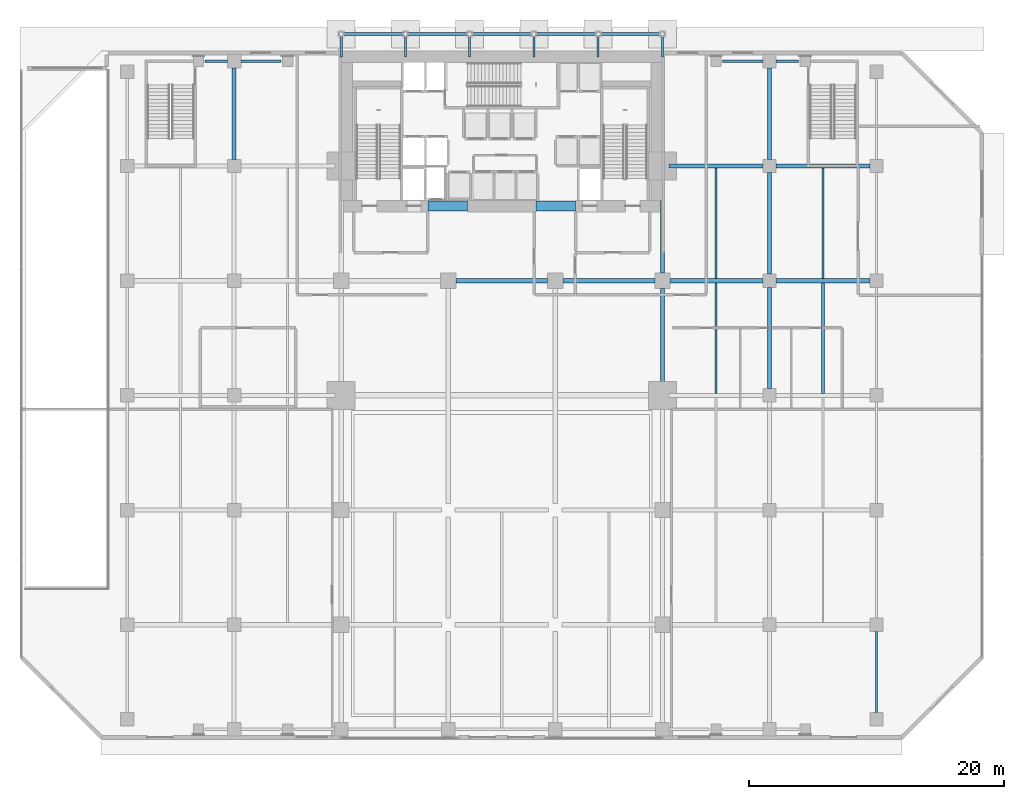
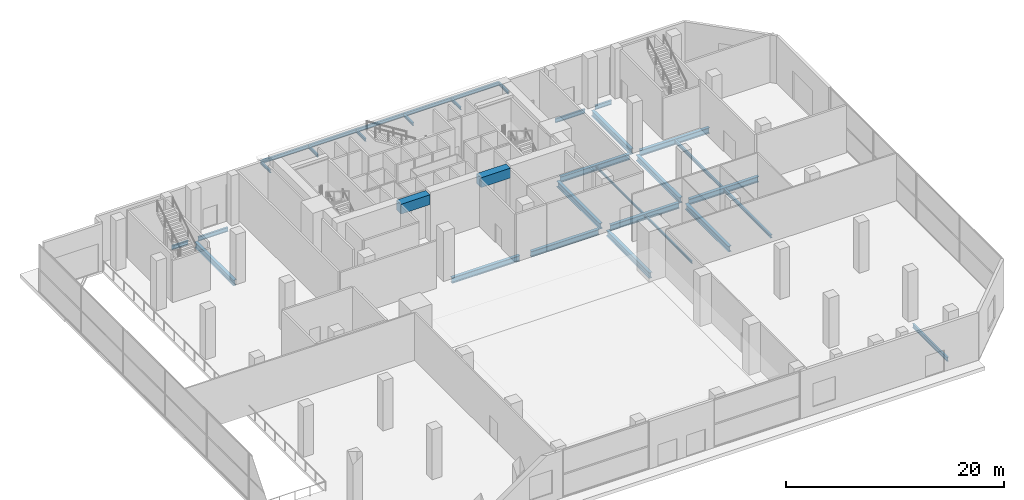
# One storey, part 22 of 35: 34 beams.
"""IFC4 building model written with IfcOpenShell, lengths in metres."""

from ifc_helpers import new_model, si_unit, direction, frame, origin, origin_2d, place, context, subcontext, project, spatial, rectangle, i_section, extrude, material, material_profile, profile_set, type_object, element, save


model = new_model("IFC4")

# Units and contexts
model_context = context("Model", 3, precision=1e-05, world=origin(), true_north=direction((0.0, 1.0)))
body_context = subcontext(model_context, "Body", "Model", "MODEL_VIEW")
ifc_project = project(units=[si_unit("LENGTHUNIT", "METRE"), si_unit("AREAUNIT", "SQUARE_METRE"), si_unit("VOLUMEUNIT", "CUBIC_METRE"), si_unit("PLANEANGLEUNIT", "RADIAN"), si_unit("MASSUNIT", "GRAM", prefix="KILO")], contexts=[model_context])

# Site, building, storey
site_placement = place(None, origin())
site = spatial("IfcSite", under=ifc_project, at=site_placement, CompositionType="ELEMENT")
building_placement = place(site_placement, origin())
building = spatial("IfcBuilding", under=site, at=building_placement, Name="Maruvema Waterfront Hotel and Observation Tower", CompositionType="ELEMENT")
storey_placement = place(building_placement, origin())
storey = spatial("IfcBuildingStorey", under=building, at=storey_placement, Name="L00", CompositionType="ELEMENT", Elevation=0.0)

# Beams
ifc_material_1 = material(Name="Concrete C60/75", Category="concrete")
ifc_material_profile_1 = material_profile(ifc_material_1, rectangle(XDim=0.800048828125, YDim=1.10009765625, at=origin_2d()), Name="CB800x1100")
ifc_profile_set_1 = profile_set([ifc_material_profile_1], Name="Concrete C60/75")
beam_type_1 = type_object("IfcBeamType", Name="Core Coupling Lintel Beam CB800x1100", PredefinedType="LINTEL", material=ifc_profile_set_1)
for number, where, z_axis, x_axis, name in (
    (1, (32.0, 41.85009765625, 4.77001953125), (1.0, 0.0, 0.0), (0.0, 1.0, 0.0), "L00 Core Coupling Lintel Beam West"),
    (2, (40.5, 41.85009765625, 4.77001953125), (1.0, 0.0, 0.0), (0.0, 1.0, 0.0), "L00 Core Coupling Lintel Beam East"),
):
    element("IfcBeam", number, at=place(storey_placement, frame(where, z_axis=z_axis, x_axis=x_axis)), inside=storey, type_object=beam_type_1, Name=name, PredefinedType="LINTEL", context=body_context, shape_type="SweptSolid", body=[
        extrude(rectangle(XDim=0.800048828125, YDim=1.10009765625, at=origin_2d()), origin(), (0.0, 0.0, 1.0), 3.10009765625),
    ])
ifc_material_2 = material(Name="Steel ASTM A572 Grade 50", Category="steel")
ifc_material_profile_2 = material_profile(ifc_material_2, i_section(OverallWidth=0.18994140625, OverallDepth=0.45703125, WebThickness=0.009033203125, FlangeThickness=0.014404296875, FilletRadius=0.014892578125, at=origin_2d()), Name="W460x74.0")
ifc_profile_set_2 = profile_set([ifc_material_profile_2], Name="Steel ASTM A572 Grade 50")
beam_type_2 = type_object("IfcBeamType", Name="Perimeter Spandrel Beam W460x74.0", PredefinedType="SPANDREL", material=ifc_profile_set_2)
beam_1_placement = place(storey_placement, frame((14.52490234375, 53.199951171875, -0.508544921875), z_axis=(1.0, 0.0, 0.0), x_axis=(0.0, 1.0, 0.0)))
element("IfcBeam", 3, at=beam_1_placement, inside=storey, type_object=beam_type_2, Name="L00 Floor Girder EW-40", PredefinedType="SPANDREL", context=body_context, shape_type="SweptSolid", body=[
    extrude(i_section(OverallWidth=0.18994140625, OverallDepth=0.45703125, WebThickness=0.009033203125, FlangeThickness=0.014404296875, FilletRadius=0.014892578125, at=origin_2d()), origin(), (0.0, 0.0, 1.0), 1.75),
])
beam_2_placement = place(storey_placement, frame((17.324951171875, 53.199951171875, -0.508544921875), z_axis=(1.0, 0.0, 0.0), x_axis=(0.0, 1.0, 0.0)))
element("IfcBeam", 4, at=beam_2_placement, inside=storey, type_object=beam_type_2, Name="L00 Floor Girder EW-41", PredefinedType="SPANDREL", context=body_context, shape_type="SweptSolid", body=[
    extrude(i_section(OverallWidth=0.18994140625, OverallDepth=0.45703125, WebThickness=0.009033203125, FlangeThickness=0.014404296875, FilletRadius=0.014892578125, at=origin_2d()), origin(), (0.0, 0.0, 1.0), 3.150146484375),
])
beam_3_placement = place(storey_placement, frame((55.125, 53.199951171875, -0.508544921875), z_axis=(1.0, 0.0, 0.0), x_axis=(0.0, 1.0, 0.0)))
element("IfcBeam", 5, at=beam_3_placement, inside=storey, type_object=beam_type_2, Name="L00 Floor Girder EW-42", PredefinedType="SPANDREL", context=body_context, shape_type="SweptSolid", body=[
    extrude(i_section(OverallWidth=0.18994140625, OverallDepth=0.45703125, WebThickness=0.009033203125, FlangeThickness=0.014404296875, FilletRadius=0.014892578125, at=origin_2d()), origin(), (0.0, 0.0, 1.0), 3.14990234375),
])
beam_4_placement = place(storey_placement, frame((59.324951171875, 53.199951171875, -0.508544921875), z_axis=(1.0, 0.0, 0.0), x_axis=(0.0, 1.0, 0.0)))
element("IfcBeam", 6, at=beam_4_placement, inside=storey, type_object=beam_type_2, Name="L00 Floor Girder EW-43", PredefinedType="SPANDREL", context=body_context, shape_type="SweptSolid", body=[
    extrude(i_section(OverallWidth=0.18994140625, OverallDepth=0.45703125, WebThickness=0.009033203125, FlangeThickness=0.014404296875, FilletRadius=0.014892578125, at=origin_2d()), origin(), (0.0, 0.0, 1.0), 1.75),
])
beam_5_placement = place(storey_placement, frame((67.199951171875, 2.125, -0.508544921875), z_axis=(0.0, 1.0, 0.0), x_axis=(-1.0, 0.0, 0.0)))
element("IfcBeam", 7, at=beam_5_placement, inside=storey, type_object=beam_type_2, Name="L00 Floor Girder NS-35", PredefinedType="SPANDREL", context=body_context, shape_type="SweptSolid", body=[
    extrude(i_section(OverallWidth=0.18994140625, OverallDepth=0.45703125, WebThickness=0.009033203125, FlangeThickness=0.014404296875, FilletRadius=0.014892578125, at=origin_2d()), origin(), (0.0, 0.0, 1.0), 6.35009765625),
])
ifc_material_3 = material(Name="Steel ASTM A572 Grade 50", Category="steel")
ifc_material_profile_3 = material_profile(ifc_material_3, i_section(OverallWidth=0.3291015625, OverallDepth=0.635009765625, WebThickness=0.017822265625, FlangeThickness=0.031005859375, FilletRadius=0.01806640625, at=origin_2d()), Name="W610x241.0")
ifc_profile_set_3 = profile_set([ifc_material_profile_3], Name="Steel ASTM A572 Grade 50")
beam_type_3 = type_object("IfcBeamType", Name="Primary Floor Girder W610x241.0", PredefinedType="BEAM", material=ifc_profile_set_3)
for number, where, z_axis, x_axis, name in (
    (8, (34.199951171875, 36.0, -0.597412109375), (1.0, 0.0, 0.0), (0.0, 1.0, 0.0), "L00 Floor Girder EW-32"),
    (9, (42.60009765625, 36.0, -0.597412109375), (1.0, 0.0, 0.0), (0.0, 1.0, 0.0), "L00 Floor Girder EW-33"),
):
    element("IfcBeam", number, at=place(storey_placement, frame(where, z_axis=z_axis, x_axis=x_axis)), inside=storey, type_object=beam_type_3, Name=name, PredefinedType="BEAM", context=body_context, shape_type="SweptSolid", body=[
        extrude(i_section(OverallWidth=0.3291015625, OverallDepth=0.635009765625, WebThickness=0.017822265625, FlangeThickness=0.031005859375, FilletRadius=0.01806640625, at=origin_2d()), origin(), (0.0, 0.0, 1.0), 7.199951171875),
    ])
beam_6_placement = place(storey_placement, frame((51.0, 36.0, -0.597412109375), z_axis=(1.0, 0.0, 0.0), x_axis=(0.0, 1.0, 0.0)))
element("IfcBeam", 10, at=beam_6_placement, inside=storey, type_object=beam_type_3, Name="L00 Floor Girder EW-34", PredefinedType="BEAM", context=body_context, shape_type="SweptSolid", body=[
    extrude(i_section(OverallWidth=0.3291015625, OverallDepth=0.635009765625, WebThickness=0.017822265625, FlangeThickness=0.031005859375, FilletRadius=0.01806640625, at=origin_2d()), origin(), (0.0, 0.0, 1.0), 7.27490234375),
])
beam_7_placement = place(storey_placement, frame((59.324951171875, 36.0, -0.597412109375), z_axis=(1.0, 0.0, 0.0), x_axis=(0.0, 1.0, 0.0)))
element("IfcBeam", 11, at=beam_7_placement, inside=storey, type_object=beam_type_3, Name="L00 Floor Girder EW-35", PredefinedType="BEAM", context=body_context, shape_type="SweptSolid", body=[
    extrude(i_section(OverallWidth=0.3291015625, OverallDepth=0.635009765625, WebThickness=0.017822265625, FlangeThickness=0.031005859375, FilletRadius=0.01806640625, at=origin_2d()), origin(), (0.0, 0.0, 1.0), 7.35009765625),
])
beam_8_placement = place(storey_placement, frame((50.89990234375, 45.0, -0.597412109375), z_axis=(1.0, 0.0, 0.0), x_axis=(0.0, 1.0, 0.0)))
element("IfcBeam", 12, at=beam_8_placement, inside=storey, type_object=beam_type_3, Name="L00 Floor Girder EW-38", PredefinedType="BEAM", context=body_context, shape_type="SweptSolid", body=[
    extrude(i_section(OverallWidth=0.3291015625, OverallDepth=0.635009765625, WebThickness=0.017822265625, FlangeThickness=0.031005859375, FilletRadius=0.01806640625, at=origin_2d()), origin(), (0.0, 0.0, 1.0), 7.375),
])
beam_9_placement = place(storey_placement, frame((59.324951171875, 45.0, -0.597412109375), z_axis=(1.0, 0.0, 0.0), x_axis=(0.0, 1.0, 0.0)))
element("IfcBeam", 13, at=beam_9_placement, inside=storey, type_object=beam_type_3, Name="L00 Floor Girder EW-39", PredefinedType="BEAM", context=body_context, shape_type="SweptSolid", body=[
    extrude(i_section(OverallWidth=0.3291015625, OverallDepth=0.635009765625, WebThickness=0.017822265625, FlangeThickness=0.031005859375, FilletRadius=0.01806640625, at=origin_2d()), origin(), (0.0, 0.0, 1.0), 7.35009765625),
])
beam_10_placement = place(storey_placement, frame((16.800048828125, 45.52490234375, -0.597412109375), z_axis=(0.0, 1.0, 0.0), x_axis=(-1.0, 0.0, 0.0)))
element("IfcBeam", 14, at=beam_10_placement, inside=storey, type_object=beam_type_3, Name="L00 Floor Girder NS-12", PredefinedType="BEAM", context=body_context, shape_type="SweptSolid", body=[
    extrude(i_section(OverallWidth=0.3291015625, OverallDepth=0.635009765625, WebThickness=0.017822265625, FlangeThickness=0.031005859375, FilletRadius=0.01806640625, at=origin_2d()), origin(), (0.0, 0.0, 1.0), 7.150146484375),
])
for number, where, z_axis, x_axis, name in (
    (15, (50.39990234375, 27.5, -0.597412109375), (0.0, 1.0, 0.0), (-1.0, 0.0, 0.0), "L00 Floor Girder NS-27"),
    (16, (50.39990234375, 36.60009765625, -0.597412109375), (0.0, 1.0, 0.0), (-1.0, 0.0, 0.0), "L00 Floor Girder NS-28"),
):
    element("IfcBeam", number, at=place(storey_placement, frame(where, z_axis=z_axis, x_axis=x_axis)), inside=storey, type_object=beam_type_3, Name=name, PredefinedType="BEAM", context=body_context, shape_type="SweptSolid", body=[
        extrude(i_section(OverallWidth=0.3291015625, OverallDepth=0.635009765625, WebThickness=0.017822265625, FlangeThickness=0.031005859375, FilletRadius=0.01806640625, at=origin_2d()), origin(), (0.0, 0.0, 1.0), 7.89990234375),
    ])
for number, where, z_axis, x_axis, name in (
    (17, (58.800048828125, 27.52490234375, -0.597412109375), (0.0, 1.0, 0.0), (-1.0, 0.0, 0.0), "L00 Floor Girder NS-32"),
    (18, (58.800048828125, 36.52490234375, -0.597412109375), (0.0, 1.0, 0.0), (-1.0, 0.0, 0.0), "L00 Floor Girder NS-33"),
):
    element("IfcBeam", number, at=place(storey_placement, frame(where, z_axis=z_axis, x_axis=x_axis)), inside=storey, type_object=beam_type_3, Name=name, PredefinedType="BEAM", context=body_context, shape_type="SweptSolid", body=[
        extrude(i_section(OverallWidth=0.3291015625, OverallDepth=0.635009765625, WebThickness=0.017822265625, FlangeThickness=0.031005859375, FilletRadius=0.01806640625, at=origin_2d()), origin(), (0.0, 0.0, 1.0), 7.9501953125),
    ])
beam_11_placement = place(storey_placement, frame((58.800048828125, 45.52490234375, -0.597412109375), z_axis=(0.0, 1.0, 0.0), x_axis=(-1.0, 0.0, 0.0)))
element("IfcBeam", 19, at=beam_11_placement, inside=storey, type_object=beam_type_3, Name="L00 Floor Girder NS-34", PredefinedType="BEAM", context=body_context, shape_type="SweptSolid", body=[
    extrude(i_section(OverallWidth=0.3291015625, OverallDepth=0.635009765625, WebThickness=0.017822265625, FlangeThickness=0.031005859375, FilletRadius=0.01806640625, at=origin_2d()), origin(), (0.0, 0.0, 1.0), 7.150146484375),
])
ifc_material_4 = material(Name="Steel ASTM A572 Grade 50", Category="steel")
ifc_material_profile_4 = material_profile(ifc_material_4, i_section(OverallWidth=0.133056640625, OverallDepth=0.20703125, WebThickness=0.005859375, FlangeThickness=0.00830078125, FilletRadius=0.010009765625, at=origin_2d()), Name="W200x26.6")
ifc_profile_set_4 = profile_set([ifc_material_profile_4], Name="Steel ASTM A572 Grade 50")
beam_type_4 = type_object("IfcBeamType", Name="Secondary Floor Joist W200x26.6", PredefinedType="JOIST", material=ifc_profile_set_4)
beam_12_placement = place(storey_placement, frame((54.60009765625, 36.16455078125, -0.383544921875), z_axis=(0.0, 1.0, 0.0), x_axis=(-1.0, 0.0, 0.0)))
element("IfcBeam", 20, at=beam_12_placement, inside=storey, type_object=beam_type_4, Name="L00 Secondary Floor Joist JS-18", PredefinedType="JOIST", context=body_context, shape_type="SweptSolid", body=[
    extrude(i_section(OverallWidth=0.133056640625, OverallDepth=0.20703125, WebThickness=0.005859375, FlangeThickness=0.00830078125, FilletRadius=0.010009765625, at=origin_2d()), origin(), (0.0, 0.0, 1.0), 8.6708984375),
])
ifc_material_5 = material(Name="Steel ASTM A572 Grade 50", Category="steel")
ifc_material_profile_5 = material_profile(ifc_material_5, i_section(OverallWidth=0.14599609375, OverallDepth=0.258056640625, WebThickness=0.006103515625, FlangeThickness=0.009033203125, FilletRadius=0.012939453125, at=origin_2d()), Name="W250x32.7")
ifc_profile_set_5 = profile_set([ifc_material_profile_5], Name="Steel ASTM A572 Grade 50")
beam_type_5 = type_object("IfcBeamType", Name="Secondary Floor Joist W250x32.7", PredefinedType="JOIST", material=ifc_profile_set_5)
beam_13_placement = place(storey_placement, frame((54.60009765625, 27.16455078125, -0.408935546875), z_axis=(0.0, 1.0, 0.0), x_axis=(-1.0, 0.0, 0.0)))
element("IfcBeam", 21, at=beam_13_placement, inside=storey, type_object=beam_type_5, Name="L00 Secondary Floor Joist JS-17", PredefinedType="JOIST", context=body_context, shape_type="SweptSolid", body=[
    extrude(i_section(OverallWidth=0.14599609375, OverallDepth=0.258056640625, WebThickness=0.006103515625, FlangeThickness=0.009033203125, FilletRadius=0.012939453125, at=origin_2d()), origin(), (0.0, 0.0, 1.0), 8.6708984375),
])
ifc_material_6 = material(Name="Steel ASTM A572 Grade 50", Category="steel")
ifc_material_profile_6 = material_profile(ifc_material_6, i_section(OverallWidth=0.1669921875, OverallDepth=0.31689453125, WebThickness=0.007568359375, FlangeThickness=0.01318359375, FilletRadius=0.012939453125, at=origin_2d()), Name="W310x52.0")
ifc_profile_set_6 = profile_set([ifc_material_profile_6], Name="Steel ASTM A572 Grade 50")
beam_type_6 = type_object("IfcBeamType", Name="Secondary Floor Joist W310x52.0", PredefinedType="JOIST", material=ifc_profile_set_6)
for number, where, z_axis, x_axis, name in (
    (22, (25.199951171875, 53.550048828125, 4.04150390625), (0.0, 1.0, 0.0), (-1.0, 0.0, 0.0), "L00 Entrance Canopy Cantilever Beam 01"),
    (23, (30.239990234375, 53.550048828125, 4.04150390625), (0.0, 1.0, 0.0), (-1.0, 0.0, 0.0), "L00 Entrance Canopy Cantilever Beam 02"),
    (24, (35.280029296875, 53.550048828125, 4.04150390625), (0.0, 1.0, 0.0), (-1.0, 0.0, 0.0), "L00 Entrance Canopy Cantilever Beam 03"),
    (25, (40.320068359375, 53.550048828125, 4.04150390625), (0.0, 1.0, 0.0), (-1.0, 0.0, 0.0), "L00 Entrance Canopy Cantilever Beam 04"),
    (26, (45.360107421875, 53.550048828125, 4.04150390625), (0.0, 1.0, 0.0), (-1.0, 0.0, 0.0), "L00 Entrance Canopy Cantilever Beam 05"),
    (27, (50.39990234375, 53.550048828125, 4.04150390625), (0.0, 1.0, 0.0), (-1.0, 0.0, 0.0), "L00 Entrance Canopy Cantilever Beam 06"),
):
    element("IfcBeam", number, at=place(storey_placement, frame(where, z_axis=z_axis, x_axis=x_axis)), inside=storey, type_object=beam_type_6, Name=name, PredefinedType="JOIST", context=body_context, shape_type="SweptSolid", body=[
        extrude(i_section(OverallWidth=0.1669921875, OverallDepth=0.31689453125, WebThickness=0.007568359375, FlangeThickness=0.01318359375, FilletRadius=0.012939453125, at=origin_2d()), origin(), (0.0, 0.0, 1.0), 1.800048828125),
    ])
ifc_material_7 = material(Name="Steel ASTM A572 Grade 50", Category="steel")
ifc_material_profile_7 = material_profile(ifc_material_7, i_section(OverallWidth=0.1708984375, OverallDepth=0.35498046875, WebThickness=0.007080078125, FlangeThickness=0.01171875, FilletRadius=0.014892578125, at=origin_2d()), Name="W360x51.0")
ifc_profile_set_7 = profile_set([ifc_material_profile_7], Name="Steel ASTM A572 Grade 50")
beam_type_7 = type_object("IfcBeamType", Name="Secondary Floor Joist W360x51.0", PredefinedType="JOIST", material=ifc_profile_set_7)
beam_14_placement = place(storey_placement, frame((63.0, 36.16455078125, -0.45751953125), z_axis=(0.0, 1.0, 0.0), x_axis=(-1.0, 0.0, 0.0)))
element("IfcBeam", 28, at=beam_14_placement, inside=storey, type_object=beam_type_7, Name="L00 Secondary Floor Joist JS-22", PredefinedType="JOIST", context=body_context, shape_type="SweptSolid", body=[
    extrude(i_section(OverallWidth=0.1708984375, OverallDepth=0.35498046875, WebThickness=0.007080078125, FlangeThickness=0.01171875, FilletRadius=0.014892578125, at=origin_2d()), origin(), (0.0, 0.0, 1.0), 8.6708984375),
])
ifc_material_8 = material(Name="Steel ASTM A572 Grade 50", Category="steel")
ifc_material_profile_8 = material_profile(ifc_material_8, i_section(OverallWidth=0.202880859375, OverallDepth=0.346923828125, WebThickness=0.0078125, FlangeThickness=0.013427734375, FilletRadius=0.014892578125, at=origin_2d()), Name="W360x64.0")
ifc_profile_set_8 = profile_set([ifc_material_profile_8], Name="Steel ASTM A572 Grade 50")
beam_type_8 = type_object("IfcBeamType", Name="Secondary Floor Joist W360x64.0", PredefinedType="JOIST", material=ifc_profile_set_8)
for number, where, z_axis, x_axis, name in (
    (29, (25.199951171875, 55.35009765625, 4.026611328125), (1.0, 0.0, 0.0), (0.0, 1.0, 0.0), "L00 Entrance Canopy Edge Beam 01"),
    (30, (30.239990234375, 55.35009765625, 4.026611328125), (1.0, 0.0, 0.0), (0.0, 1.0, 0.0), "L00 Entrance Canopy Edge Beam 02"),
    (31, (35.280029296875, 55.35009765625, 4.026611328125), (1.0, 0.0, 0.0), (0.0, 1.0, 0.0), "L00 Entrance Canopy Edge Beam 03"),
    (32, (40.320068359375, 55.35009765625, 4.026611328125), (1.0, 0.0, 0.0), (0.0, 1.0, 0.0), "L00 Entrance Canopy Edge Beam 04"),
):
    element("IfcBeam", number, at=place(storey_placement, frame(where, z_axis=z_axis, x_axis=x_axis)), inside=storey, type_object=beam_type_8, Name=name, PredefinedType="JOIST", context=body_context, shape_type="SweptSolid", body=[
        extrude(i_section(OverallWidth=0.202880859375, OverallDepth=0.346923828125, WebThickness=0.0078125, FlangeThickness=0.013427734375, FilletRadius=0.014892578125, at=origin_2d()), origin(), (0.0, 0.0, 1.0), 5.0400390625),
    ])
beam_15_placement = place(storey_placement, frame((45.360107421875, 55.35009765625, 4.026611328125), z_axis=(1.0, 0.0, 0.0), x_axis=(0.0, 1.0, 0.0)))
element("IfcBeam", 33, at=beam_15_placement, inside=storey, type_object=beam_type_8, Name="L00 Entrance Canopy Edge Beam 05", PredefinedType="JOIST", context=body_context, shape_type="SweptSolid", body=[
    extrude(i_section(OverallWidth=0.202880859375, OverallDepth=0.346923828125, WebThickness=0.0078125, FlangeThickness=0.013427734375, FilletRadius=0.014892578125, at=origin_2d()), origin(), (0.0, 0.0, 1.0), 5.039794921875),
])
beam_16_placement = place(storey_placement, frame((63.0, 27.16455078125, -0.45361328125), z_axis=(0.0, 1.0, 0.0), x_axis=(-1.0, 0.0, 0.0)))
element("IfcBeam", 34, at=beam_16_placement, inside=storey, type_object=beam_type_8, Name="L00 Secondary Floor Joist JS-21", PredefinedType="JOIST", context=body_context, shape_type="SweptSolid", body=[
    extrude(i_section(OverallWidth=0.202880859375, OverallDepth=0.346923828125, WebThickness=0.0078125, FlangeThickness=0.013427734375, FilletRadius=0.014892578125, at=origin_2d()), origin(), (0.0, 0.0, 1.0), 8.6708984375),
])

save(model, "model.ifc")
